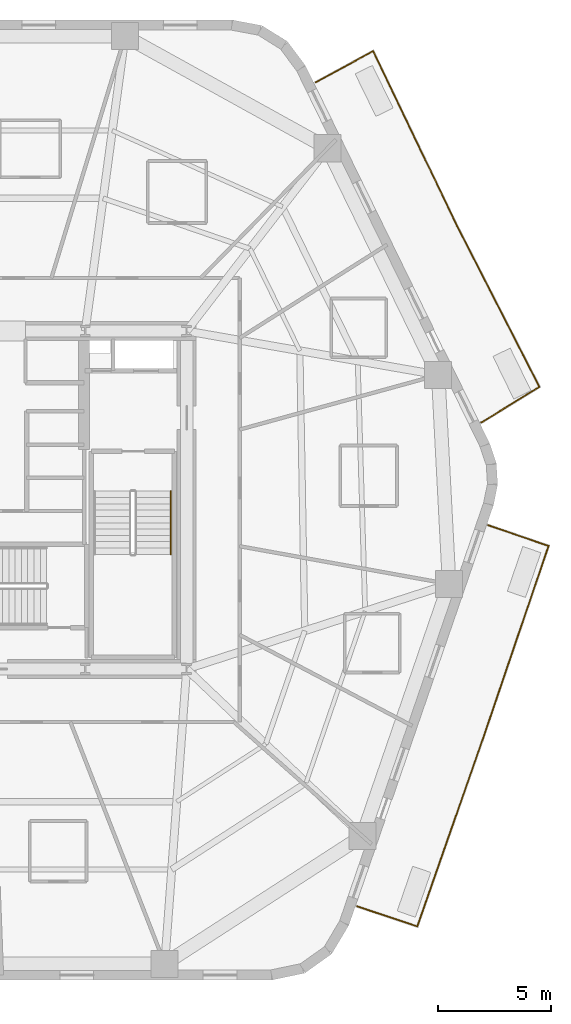
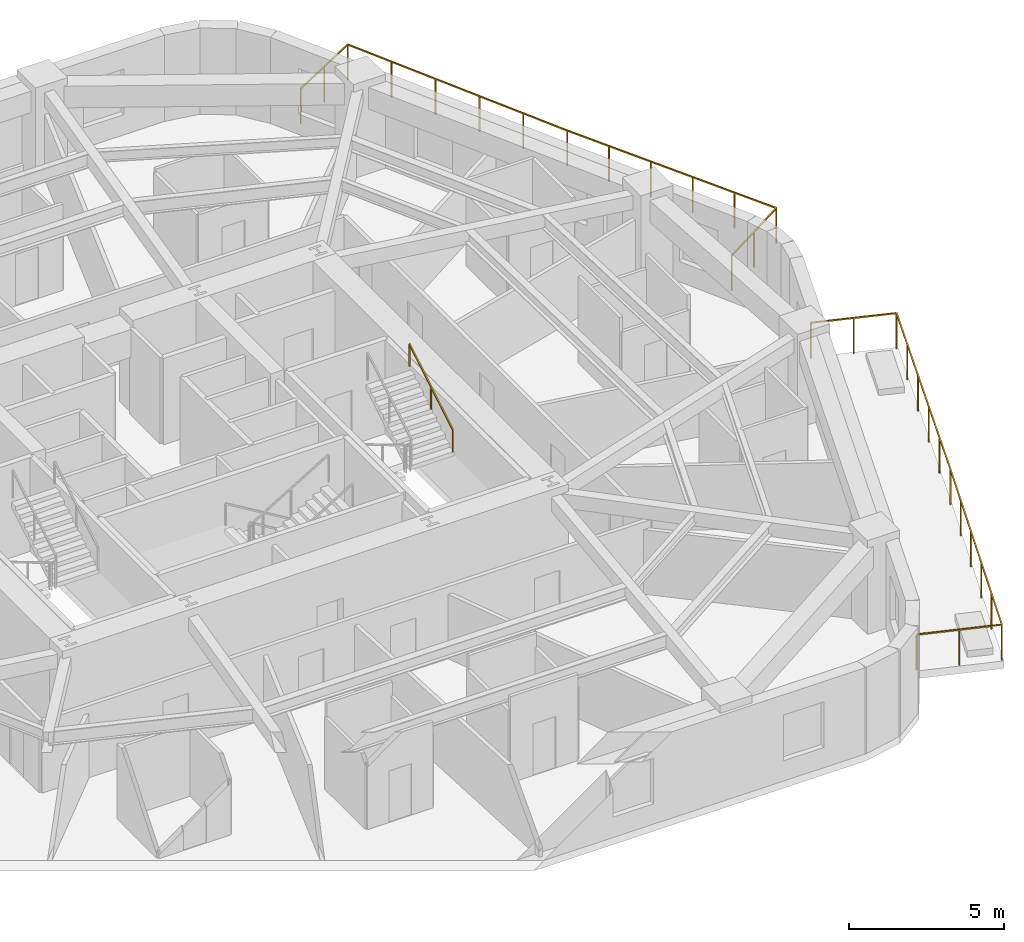
# One storey, part 10 of 10: 3 railings.
"""IFC4 building model written with IfcOpenShell, lengths in metres."""

import ifcopenshell
import ifcopenshell.guid

model = None  # the IFC model being written
_history = None  # IfcOwnerHistory: only IFC2X3 demands one
_inside = {}  # id of a spatial element -> (the spatial element, [elements in it])
_under = {}  # id of a project, library or spatial element -> (it, [spatial elements below it])
_declared = {}  # id of a project -> (the project, [libraries it declares])
_typed = {}  # id of a type object -> (the type object, [elements of that type])
_made_of = {}  # id of a material, layer set ... -> (it, [elements and type objects made of it])


def new_model(schema):
    """Start an empty IFC model of exactly this schema.

    Asked for "IFC4X3", IfcOpenShell would pick the latest addendum, in which some entities
    have other attributes; the version numbers below select the first issue.
    IFC2X3 requires an IfcOwnerHistory on every rooted entity: one is made here for all.
    """
    global model, _history
    if schema == "IFC4X3":
        model = ifcopenshell.file(schema_version=(4, 3, 0, 0))
    else:
        model = ifcopenshell.file(schema=schema)
    _inside.clear()
    _under.clear()
    _declared.clear()
    _typed.clear()
    _made_of.clear()
    _history = None
    if model.schema == "IFC2X3":
        org = make("IfcOrganization", Name="unknown")
        user = make(
            "IfcPersonAndOrganization",
            ThePerson=make("IfcPerson", FamilyName="unknown"),
            TheOrganization=org,
        )
        app = make(
            "IfcApplication",
            ApplicationDeveloper=org,
            Version="unknown",
            ApplicationFullName="unknown",
            ApplicationIdentifier="unknown",
        )
        _history = make(
            "IfcOwnerHistory",
            OwningUser=user,
            OwningApplication=app,
            ChangeAction="ADDED",
            CreationDate=0,
        )
    return model


def make(cls, **values):
    """One entity of the class cls with the attributes given. An attribute that is None is left unset."""
    return model.create_entity(
        cls, **{name: value for name, value in values.items() if value is not None}
    )


def rooted(cls, **values):
    """An entity with a GlobalId (a new one), such as an element, a storey or a relation."""
    return make(cls, GlobalId=ifcopenshell.guid.new(), OwnerHistory=_history, **values)


def si_unit(unit_type, name, prefix=None):
    """IfcSIUnit, for example si_unit("LENGTHUNIT", "METRE", prefix="MILLI")."""
    return make("IfcSIUnit", UnitType=unit_type, Prefix=prefix, Name=name)


def assignment(units):
    """IfcUnitAssignment: the units of a project."""
    return None if units is None else make("IfcUnitAssignment", Units=units)


def point(xyz):
    """IfcCartesianPoint."""
    return None if xyz is None else make("IfcCartesianPoint", Coordinates=xyz)


def direction(xyz):
    """IfcDirection."""
    return None if xyz is None else make("IfcDirection", DirectionRatios=xyz)


def frame(location, z_axis=None, x_axis=None):
    """IfcAxis2Placement3D, a coordinate frame: its origin and axes. An axis left out is left unset."""
    return make(
        "IfcAxis2Placement3D",
        Location=point(location),
        Axis=direction(z_axis),
        RefDirection=direction(x_axis),
    )


def frame_2d(location, x_axis=None):
    """IfcAxis2Placement2D, a coordinate frame in the plane: its origin and x axis."""
    return make(
        "IfcAxis2Placement2D", Location=point(location), RefDirection=direction(x_axis)
    )


def origin():
    """The frame at (0, 0, 0) with its axes left unset."""
    return frame((0.0, 0.0, 0.0))


def origin_2d():
    """The frame at (0, 0) in the plane with its x axis left unset."""
    return frame_2d((0.0, 0.0))


def place(relative_to, where):
    """IfcLocalPlacement: puts the frame where relative to a parent placement (None: the world)."""
    return make(
        "IfcLocalPlacement", PlacementRelTo=relative_to, RelativePlacement=where
    )


def context(
    kind, dimensions, precision=None, world=None, true_north=None, identifier=None
):
    """IfcGeometricRepresentationContext, for example the 3D "Model" context."""
    return make(
        "IfcGeometricRepresentationContext",
        ContextIdentifier=identifier,
        ContextType=kind,
        CoordinateSpaceDimension=dimensions,
        Precision=precision,
        WorldCoordinateSystem=world,
        TrueNorth=true_north,
    )


def subcontext(parent, identifier, kind, view, scale=None):
    """IfcGeometricRepresentationSubContext, for example "Body" below "Model"."""
    return make(
        "IfcGeometricRepresentationSubContext",
        ContextIdentifier=identifier,
        ContextType=kind,
        ParentContext=parent,
        TargetScale=scale,
        TargetView=view,
    )


def project(units=None, contexts=None):
    """IfcProject with its units and contexts."""
    return rooted(
        "IfcProject",
        Name="project",
        RepresentationContexts=contexts,
        UnitsInContext=assignment(units),
    )


def spatial(cls, under=None, at=None, **own):
    """A site, building, storey or space (cls), placed at a placement, below another one or the project."""
    s = rooted(cls, ObjectPlacement=at, **own)
    if under is not None:
        _under.setdefault(under.id(), (under, []))[1].append(s)
    return s


def profile(cls, at=None, kind="AREA", **sizes):
    """A parametric profile (cls). Its sizes go by their IFC names, for example OverallWidth=200.0."""
    return make(cls, ProfileType=kind, Position=at, **sizes)


def rectangle(**sizes):
    """IfcRectangleProfileDef."""
    return profile("IfcRectangleProfileDef", **sizes)


def extrude(swept, where, along, depth):
    """IfcExtrudedAreaSolid: the profile swept, set in the frame where, extruded along a direction by depth."""
    return make(
        "IfcExtrudedAreaSolid",
        SweptArea=swept,
        Position=where,
        ExtrudedDirection=direction(along),
        Depth=depth,
    )


def shape(context_of_items, identifier, shape_type, items):
    """IfcShapeRepresentation: the items that make up one representation, for example the "Body"."""
    return make(
        "IfcShapeRepresentation",
        ContextOfItems=context_of_items,
        RepresentationIdentifier=identifier,
        RepresentationType=shape_type,
        Items=items,
    )


def material(Name=None, Category=None):
    """IfcMaterial."""
    return make("IfcMaterial", Name=Name, Category=Category)


def layer(
    of_material, thickness, ventilated=None, Name=None, Category=None, Priority=None
):
    """IfcMaterialLayer: one layer of a wall or slab, of a material (None: an air gap)."""
    return make(
        "IfcMaterialLayer",
        Material=of_material,
        LayerThickness=thickness,
        IsVentilated=ventilated,
        Name=Name,
        Category=Category,
        Priority=Priority,
    )


def layer_set(layers, Name=None):
    """IfcMaterialLayerSet."""
    return make("IfcMaterialLayerSet", MaterialLayers=layers, LayerSetName=Name)


def made_of(thing, what):
    """Note that an element or type object is made of a material, layer set ...; save() writes the relation."""
    if what is not None:
        _made_of.setdefault(what.id(), (what, []))[1].append(thing)
    return thing


def type_object(cls, material=None, **own):
    """A type object (cls), such as IfcWallType, which elements share."""
    return made_of(rooted(cls, **own), material)


def element(
    cls,
    number,
    at=None,
    inside=None,
    cuts=None,
    type_object=None,
    material=None,
    context=None,
    identifier="Body",
    shape_type=None,
    held_by="IfcProductDefinitionShape",
    body=None,
    shapes=None,
    **own,
):
    """One element of the class cls, such as IfcWall. Its Tag is "e" and its number.

    at: its placement. inside: the storey or other place that contains it. cuts: it is an
    opening in that element (IfcRelVoidsElement). A single representation is given by context,
    identifier, shape_type and body (its items); several are given by shapes. held_by: the class
    of the entity that holds the representations. save() writes the other relations.
    """
    e = rooted(cls, Tag="e%d" % number, ObjectPlacement=at, **own)
    if body is not None:
        shapes = [shape(context, identifier, shape_type, body)]
    if shapes is not None:
        e.Representation = make(held_by, Representations=shapes)
    if inside is not None:
        _inside.setdefault(inside.id(), (inside, []))[1].append(e)
    if cuts is not None:
        rooted(
            "IfcRelVoidsElement", RelatingBuildingElement=cuts, RelatedOpeningElement=e
        )
    if type_object is not None:
        _typed.setdefault(type_object.id(), (type_object, []))[1].append(e)
    return made_of(e, material)


def aggregate(whole, parts):
    """IfcRelAggregates: a whole, such as a stair, and the parts it consists of."""
    return rooted("IfcRelAggregates", RelatingObject=whole, RelatedObjects=parts)


def save(model, path):
    """Write the relations noted so far, then the file.

    IfcRelAggregates (storeys below a building ...), IfcRelContainedInSpatialStructure (elements
    in a storey), IfcRelDefinesByType, IfcRelAssociatesMaterial and IfcRelDeclares: one each for
    every whole, place, type object, material and project.
    """
    for whole, parts in _under.values():
        aggregate(whole, parts)
    for where, things in _inside.values():
        rooted(
            "IfcRelContainedInSpatialStructure",
            RelatedElements=things,
            RelatingStructure=where,
        )
    for kind, things in _typed.values():
        rooted("IfcRelDefinesByType", RelatedObjects=things, RelatingType=kind)
    for what, things in _made_of.values():
        rooted("IfcRelAssociatesMaterial", RelatedObjects=things, RelatingMaterial=what)
    for by, libraries in _declared.values():
        rooted("IfcRelDeclares", RelatingContext=by, RelatedDefinitions=libraries)
    model.write(path)


model = new_model("IFC4")

# Units and contexts
model_context = context("Model", 3, precision=1e-05, world=origin(), true_north=direction((0.0, 1.0)))
body_context = subcontext(model_context, "Body", "Model", "MODEL_VIEW")
ifc_project = project(units=[si_unit("LENGTHUNIT", "METRE"), si_unit("AREAUNIT", "SQUARE_METRE"), si_unit("VOLUMEUNIT", "CUBIC_METRE"), si_unit("PLANEANGLEUNIT", "RADIAN"), si_unit("MASSUNIT", "GRAM", prefix="KILO")], contexts=[model_context])

# Site, building, storey
site_placement = place(None, origin())
site = spatial("IfcSite", under=ifc_project, at=site_placement, CompositionType="ELEMENT")
building_placement = place(site_placement, origin())
building = spatial("IfcBuilding", under=site, at=building_placement, Name="Kilnhurst Terrace Hotel", CompositionType="ELEMENT")
storey_placement = place(building_placement, frame((0.0, 0.0, 117.300048828125)))
storey = spatial("IfcBuildingStorey", under=building, at=storey_placement, Name="L28", CompositionType="ELEMENT", Elevation=117.300048828125)

# Railings
ifc_material_1 = material(Name="Laminated SentryGlas and Stainless Steel AISI 316L Balustrade", Category="steel")
ifc_layer_1 = layer(ifc_material_1, 0.070068359375, Name="Laminated SentryGlas and Stainless Steel AISI 316L Balustrade")
ifc_layer_set_1 = layer_set([ifc_layer_1], Name="Laminated SentryGlas and Stainless Steel AISI 316L Balustrade")
railing_type_1 = type_object("IfcRailingType", Name="RLG-BAL-1420", PredefinedType="BALUSTRADE", material=ifc_layer_set_1)
railing_1_placement = place(storey_placement, frame((22.394287109375, -1.123779296875, 0.0)))
element("IfcRailing", 1, at=railing_1_placement, inside=storey, type_object=railing_type_1, Name="L28 Exterior Terrace Guardrail BAL-L1A.1", PredefinedType="BALUSTRADE", context=body_context, shape_type="SweptSolid", body=[
    extrude(rectangle(XDim=0.048095703125, YDim=0.048095703125, at=origin_2d()), frame((0.0, 0.0, 1.39599609375), z_axis=(0.945999088216, -0.324169284625, 0.0), x_axis=(0.324169284625, 0.945999088216, 0.0)), (0.0, 0.0, 1.0), 2.818115234375),
    extrude(rectangle(XDim=0.048095703125, YDim=0.048095703125, at=origin_2d()), frame((2.666015625, -0.91357421875, 1.39599609375), z_axis=(-0.322236749626, -0.946659113509, 0.0), x_axis=(0.946659113509, -0.322236749626, 0.0)), (0.0, 0.0, 1.0), 8.94921875),
    extrude(rectangle(XDim=0.048095703125, YDim=0.048095703125, at=origin_2d()), frame((-0.2177734375, -9.385498046875, 1.39599609375), z_axis=(-0.329867270016, -0.94402732173, 0.0), x_axis=(0.94402732173, -0.329867270016, 0.0)), (0.0, 0.0, 1.0), 8.9140625),
    extrude(rectangle(XDim=0.048095703125, YDim=0.048095703125, at=origin_2d()), frame((-3.158203125, -17.800537109375, 1.39599609375), z_axis=(-0.948125796951, 0.317895380834, 0.0), x_axis=(-0.317895380834, -0.948125796951, 0.0)), (0.0, 0.0, 1.0), 2.81005859375),
    extrude(rectangle(XDim=0.0419921875, YDim=0.0419921875, at=origin_2d()), origin(), (0.0, 0.0, 1.0), 1.371826171875),
    extrude(rectangle(XDim=0.0419921875, YDim=0.0419921875, at=origin_2d()), frame((1.3330078125, -0.456787109375, 0.0)), (0.0, 0.0, 1.0), 1.371826171875),
    extrude(rectangle(XDim=0.0419921875, YDim=0.0419921875, at=origin_2d()), frame((2.666015625, -0.91357421875, 0.0)), (0.0, 0.0, 1.0), 1.371826171875),
    extrude(rectangle(XDim=0.0419921875, YDim=0.0419921875, at=origin_2d()), frame((2.08935546875, -2.60791015625, 0.0)), (0.0, 0.0, 1.0), 1.371826171875),
    extrude(rectangle(XDim=0.0419921875, YDim=0.0419921875, at=origin_2d()), frame((1.512451171875, -4.30224609375, 0.0)), (0.0, 0.0, 1.0), 1.371826171875),
    extrude(rectangle(XDim=0.0419921875, YDim=0.0419921875, at=origin_2d()), frame((0.935791015625, -5.996826171875, 0.0)), (0.0, 0.0, 1.0), 1.371826171875),
    extrude(rectangle(XDim=0.0419921875, YDim=0.0419921875, at=origin_2d()), frame((0.35888671875, -7.691162109375, 0.0)), (0.0, 0.0, 1.0), 1.371826171875),
    extrude(rectangle(XDim=0.0419921875, YDim=0.0419921875, at=origin_2d()), frame((-0.2177734375, -9.385498046875, 0.0)), (0.0, 0.0, 1.0), 1.371826171875),
    extrude(rectangle(XDim=0.0419921875, YDim=0.0419921875, at=origin_2d()), frame((-0.805908203125, -11.068603515625, 0.0)), (0.0, 0.0, 1.0), 1.371826171875),
    extrude(rectangle(XDim=0.0419921875, YDim=0.0419921875, at=origin_2d()), frame((-1.39404296875, -12.75146484375, 0.0)), (0.0, 0.0, 1.0), 1.371826171875),
    extrude(rectangle(XDim=0.0419921875, YDim=0.0419921875, at=origin_2d()), frame((-1.98193359375, -14.4345703125, 0.0)), (0.0, 0.0, 1.0), 1.371826171875),
    extrude(rectangle(XDim=0.0419921875, YDim=0.0419921875, at=origin_2d()), frame((-2.570068359375, -16.117431640625, 0.0)), (0.0, 0.0, 1.0), 1.371826171875),
    extrude(rectangle(XDim=0.0419921875, YDim=0.0419921875, at=origin_2d()), frame((-3.158203125, -17.800537109375, 0.0)), (0.0, 0.0, 1.0), 1.371826171875),
    extrude(rectangle(XDim=0.0419921875, YDim=0.0419921875, at=origin_2d()), frame((-4.490234375, -17.35400390625, 0.0)), (0.0, 0.0, 1.0), 1.371826171875),
    extrude(rectangle(XDim=0.0419921875, YDim=0.0419921875, at=origin_2d()), frame((-5.822509765625, -16.9072265625, 0.0)), (0.0, 0.0, 1.0), 1.371826171875),
])
railing_2_placement = place(storey_placement, frame((14.722900390625, 18.529541015625, 0.0)))
element("IfcRailing", 2, at=railing_2_placement, inside=storey, type_object=railing_type_1, Name="L28 Exterior Terrace Guardrail BAL-L1B.1", PredefinedType="BALUSTRADE", context=body_context, shape_type="SweptSolid", body=[
    extrude(rectangle(XDim=0.048095703125, YDim=0.048095703125, at=origin_2d()), frame((0.0, 0.0, 1.39599609375), z_axis=(0.878553207741, 0.477644492451, 0.0), x_axis=(-0.477644492451, 0.878553207741, 0.0)), (0.0, 0.0, 1.0), 2.90478515625),
    extrude(rectangle(XDim=0.048095703125, YDim=0.048095703125, at=origin_2d()), frame((2.552001953125, 1.387451171875, 1.39599609375), z_axis=(0.43291229924, -0.901436043858, 0.0), x_axis=(0.901436043858, 0.43291229924, 0.0)), (0.0, 0.0, 1.0), 8.583251953125),
    extrude(rectangle(XDim=0.048095703125, YDim=0.048095703125, at=origin_2d()), frame((6.267822265625, -6.349853515625, 1.39599609375), z_axis=(0.514495755428, -0.857492925713, 0.0), x_axis=(0.857492925713, 0.514495755428, 0.0)), (0.0, 0.0, 1.0), 0.00146484375),
    extrude(rectangle(XDim=0.048095703125, YDim=0.048095703125, at=origin_2d()), frame((6.2685546875, -6.35107421875, 1.39599609375), z_axis=(0.455744437697, -0.890110671494, 0.0), x_axis=(0.890110671494, 0.455744437697, 0.0)), (0.0, 0.0, 1.0), 8.039794921875),
    extrude(rectangle(XDim=0.048095703125, YDim=0.048095703125, at=origin_2d()), frame((9.9326171875, -13.50732421875, 1.39599609375), z_axis=(-0.85191630472, -0.523677963784, 0.0), x_axis=(0.523677963784, -0.85191630472, 0.0)), (0.0, 0.0, 1.0), 3.0205078125),
    extrude(rectangle(XDim=0.0419921875, YDim=0.0419921875, at=origin_2d()), origin(), (0.0, 0.0, 1.0), 1.371826171875),
    extrude(rectangle(XDim=0.0419921875, YDim=0.0419921875, at=origin_2d()), frame((1.27587890625, 0.69384765625, 0.0)), (0.0, 0.0, 1.0), 1.371826171875),
    extrude(rectangle(XDim=0.0419921875, YDim=0.0419921875, at=origin_2d()), frame((2.552001953125, 1.387451171875, 0.0)), (0.0, 0.0, 1.0), 1.371826171875),
    extrude(rectangle(XDim=0.0419921875, YDim=0.0419921875, at=origin_2d()), frame((3.295166015625, -0.159912109375, 0.0)), (0.0, 0.0, 1.0), 1.371826171875),
    extrude(rectangle(XDim=0.0419921875, YDim=0.0419921875, at=origin_2d()), frame((4.038330078125, -1.70751953125, 0.0)), (0.0, 0.0, 1.0), 1.371826171875),
    extrude(rectangle(XDim=0.0419921875, YDim=0.0419921875, at=origin_2d()), frame((4.781494140625, -3.2548828125, 0.0)), (0.0, 0.0, 1.0), 1.371826171875),
    extrude(rectangle(XDim=0.0419921875, YDim=0.0419921875, at=origin_2d()), frame((5.524658203125, -4.802490234375, 0.0)), (0.0, 0.0, 1.0), 1.371826171875),
    extrude(rectangle(XDim=0.0419921875, YDim=0.0419921875, at=origin_2d()), frame((6.267822265625, -6.349853515625, 0.0)), (0.0, 0.0, 1.0), 1.371826171875),
    extrude(rectangle(XDim=0.0419921875, YDim=0.0419921875, at=origin_2d()), frame((6.2685546875, -6.35107421875, 0.0)), (0.0, 0.0, 1.0), 1.371826171875),
    extrude(rectangle(XDim=0.0419921875, YDim=0.0419921875, at=origin_2d()), frame((7.00146484375, -7.7822265625, 0.0)), (0.0, 0.0, 1.0), 1.371826171875),
    extrude(rectangle(XDim=0.0419921875, YDim=0.0419921875, at=origin_2d()), frame((7.734130859375, -9.213623046875, 0.0)), (0.0, 0.0, 1.0), 1.371826171875),
    extrude(rectangle(XDim=0.0419921875, YDim=0.0419921875, at=origin_2d()), frame((8.467041015625, -10.644775390625, 0.0)), (0.0, 0.0, 1.0), 1.371826171875),
    extrude(rectangle(XDim=0.0419921875, YDim=0.0419921875, at=origin_2d()), frame((9.19970703125, -12.076171875, 0.0)), (0.0, 0.0, 1.0), 1.371826171875),
    extrude(rectangle(XDim=0.0419921875, YDim=0.0419921875, at=origin_2d()), frame((9.9326171875, -13.50732421875, 0.0)), (0.0, 0.0, 1.0), 1.371826171875),
    extrude(rectangle(XDim=0.0419921875, YDim=0.0419921875, at=origin_2d()), frame((8.64599609375, -14.29833984375, 0.0)), (0.0, 0.0, 1.0), 1.371826171875),
    extrude(rectangle(XDim=0.0419921875, YDim=0.0419921875, at=origin_2d()), frame((7.359375, -15.089111328125, 0.0)), (0.0, 0.0, 1.0), 1.371826171875),
])
ifc_material_2 = material(Name="Brushed Stainless Steel AISI 304", Category="steel")
ifc_layer_2 = layer(ifc_material_2, 0.048095703125, Name="Brushed Stainless Steel AISI 304")
ifc_layer_set_2 = layer_set([ifc_layer_2], Name="Brushed Stainless Steel AISI 304")
railing_type_2 = type_object("IfcRailingType", Name="RLG-ST-HRL-900", PredefinedType="HANDRAIL", material=ifc_layer_set_2)
railing_3_placement = place(storey_placement, frame((8.300048828125, -2.409912109375, 2.01806640625)))
element("IfcRailing", 3, at=railing_3_placement, inside=storey, type_object=railing_type_2, Name="L28 ST-2 stair handrail 2", PredefinedType="HANDRAIL", context=body_context, shape_type="SweptSolid", body=[
    extrude(rectangle(XDim=0.048095703125, YDim=0.048095703125, at=origin_2d()), frame((0.0, 0.0, 0.8759765625), z_axis=(0.0, 0.857222391501, 0.514946377315), x_axis=(-1.0, 0.0, 0.0)), (0.0, 0.0, 1.0), 3.26611328125),
    extrude(rectangle(XDim=0.0419921875, YDim=0.0419921875, at=origin_2d()), origin(), (0.0, 0.0, 1.0), 0.851806640625),
    extrude(rectangle(XDim=0.0419921875, YDim=0.0419921875, at=origin_2d()), frame((0.0, 1.39990234375, 0.8408203125)), (0.0, 0.0, 1.0), 0.851806640625),
    extrude(rectangle(XDim=0.0419921875, YDim=0.0419921875, at=origin_2d()), frame((0.0, 2.7998046875, 1.681884765625)), (0.0, 0.0, 1.0), 0.851806640625),
])

save(model, "model.ifc")
